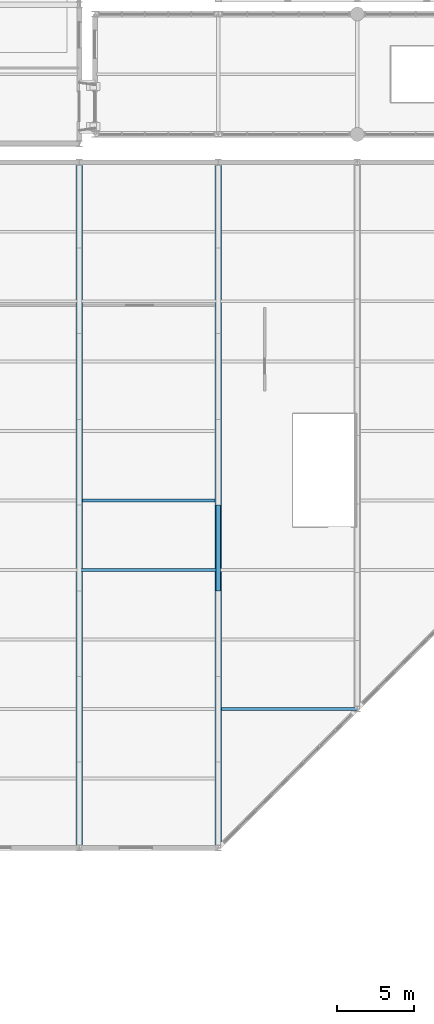
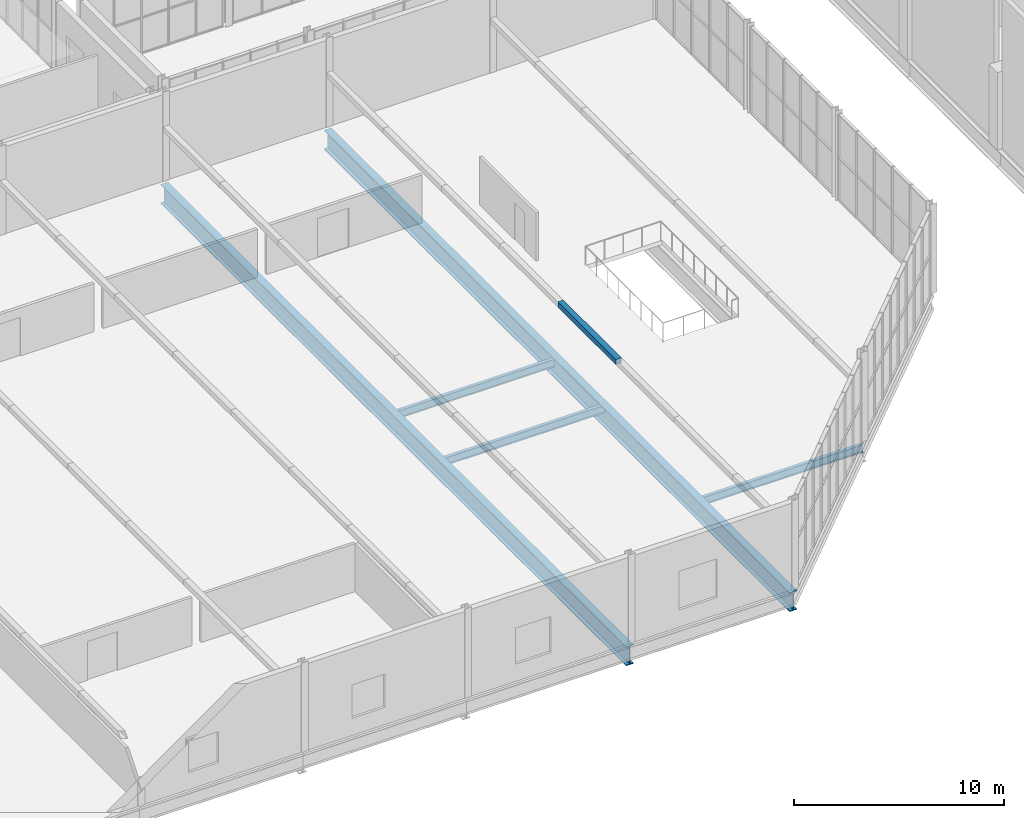
# One storey, part 25 of 134: 5 beams, 1 member.
"""IFC4 building model written with IfcOpenShell, lengths in metres."""

import ifcopenshell
import ifcopenshell.guid

model = None  # the IFC model being written
_history = None  # IfcOwnerHistory: only IFC2X3 demands one
_inside = {}  # id of a spatial element -> (the spatial element, [elements in it])
_under = {}  # id of a project, library or spatial element -> (it, [spatial elements below it])
_declared = {}  # id of a project -> (the project, [libraries it declares])
_typed = {}  # id of a type object -> (the type object, [elements of that type])
_made_of = {}  # id of a material, layer set ... -> (it, [elements and type objects made of it])


def new_model(schema):
    """Start an empty IFC model of exactly this schema.

    Asked for "IFC4X3", IfcOpenShell would pick the latest addendum, in which some entities
    have other attributes; the version numbers below select the first issue.
    IFC2X3 requires an IfcOwnerHistory on every rooted entity: one is made here for all.
    """
    global model, _history
    if schema == "IFC4X3":
        model = ifcopenshell.file(schema_version=(4, 3, 0, 0))
    else:
        model = ifcopenshell.file(schema=schema)
    _inside.clear()
    _under.clear()
    _declared.clear()
    _typed.clear()
    _made_of.clear()
    _history = None
    if model.schema == "IFC2X3":
        org = make("IfcOrganization", Name="unknown")
        user = make(
            "IfcPersonAndOrganization",
            ThePerson=make("IfcPerson", FamilyName="unknown"),
            TheOrganization=org,
        )
        app = make(
            "IfcApplication",
            ApplicationDeveloper=org,
            Version="unknown",
            ApplicationFullName="unknown",
            ApplicationIdentifier="unknown",
        )
        _history = make(
            "IfcOwnerHistory",
            OwningUser=user,
            OwningApplication=app,
            ChangeAction="ADDED",
            CreationDate=0,
        )
    return model


def make(cls, **values):
    """One entity of the class cls with the attributes given. An attribute that is None is left unset."""
    return model.create_entity(
        cls, **{name: value for name, value in values.items() if value is not None}
    )


def rooted(cls, **values):
    """An entity with a GlobalId (a new one), such as an element, a storey or a relation."""
    return make(cls, GlobalId=ifcopenshell.guid.new(), OwnerHistory=_history, **values)


def si_unit(unit_type, name, prefix=None):
    """IfcSIUnit, for example si_unit("LENGTHUNIT", "METRE", prefix="MILLI")."""
    return make("IfcSIUnit", UnitType=unit_type, Prefix=prefix, Name=name)


def assignment(units):
    """IfcUnitAssignment: the units of a project."""
    return None if units is None else make("IfcUnitAssignment", Units=units)


def point(xyz):
    """IfcCartesianPoint."""
    return None if xyz is None else make("IfcCartesianPoint", Coordinates=xyz)


def direction(xyz):
    """IfcDirection."""
    return None if xyz is None else make("IfcDirection", DirectionRatios=xyz)


def frame(location, z_axis=None, x_axis=None):
    """IfcAxis2Placement3D, a coordinate frame: its origin and axes. An axis left out is left unset."""
    return make(
        "IfcAxis2Placement3D",
        Location=point(location),
        Axis=direction(z_axis),
        RefDirection=direction(x_axis),
    )


def frame_2d(location, x_axis=None):
    """IfcAxis2Placement2D, a coordinate frame in the plane: its origin and x axis."""
    return make(
        "IfcAxis2Placement2D", Location=point(location), RefDirection=direction(x_axis)
    )


def origin():
    """The frame at (0, 0, 0) with its axes left unset."""
    return frame((0.0, 0.0, 0.0))


def origin_2d():
    """The frame at (0, 0) in the plane with its x axis left unset."""
    return frame_2d((0.0, 0.0))


def place(relative_to, where):
    """IfcLocalPlacement: puts the frame where relative to a parent placement (None: the world)."""
    return make(
        "IfcLocalPlacement", PlacementRelTo=relative_to, RelativePlacement=where
    )


def context(
    kind, dimensions, precision=None, world=None, true_north=None, identifier=None
):
    """IfcGeometricRepresentationContext, for example the 3D "Model" context."""
    return make(
        "IfcGeometricRepresentationContext",
        ContextIdentifier=identifier,
        ContextType=kind,
        CoordinateSpaceDimension=dimensions,
        Precision=precision,
        WorldCoordinateSystem=world,
        TrueNorth=true_north,
    )


def subcontext(parent, identifier, kind, view, scale=None):
    """IfcGeometricRepresentationSubContext, for example "Body" below "Model"."""
    return make(
        "IfcGeometricRepresentationSubContext",
        ContextIdentifier=identifier,
        ContextType=kind,
        ParentContext=parent,
        TargetScale=scale,
        TargetView=view,
    )


def project(units=None, contexts=None):
    """IfcProject with its units and contexts."""
    return rooted(
        "IfcProject",
        Name="project",
        RepresentationContexts=contexts,
        UnitsInContext=assignment(units),
    )


def spatial(cls, under=None, at=None, **own):
    """A site, building, storey or space (cls), placed at a placement, below another one or the project."""
    s = rooted(cls, ObjectPlacement=at, **own)
    if under is not None:
        _under.setdefault(under.id(), (under, []))[1].append(s)
    return s


def profile(cls, at=None, kind="AREA", **sizes):
    """A parametric profile (cls). Its sizes go by their IFC names, for example OverallWidth=200.0."""
    return make(cls, ProfileType=kind, Position=at, **sizes)


def hollow_rectangle(**sizes):
    """IfcRectangleHollowProfileDef."""
    return profile("IfcRectangleHollowProfileDef", **sizes)


def i_section(**sizes):
    """IfcIShapeProfileDef."""
    return profile("IfcIShapeProfileDef", **sizes)


def extrude(swept, where, along, depth):
    """IfcExtrudedAreaSolid: the profile swept, set in the frame where, extruded along a direction by depth."""
    return make(
        "IfcExtrudedAreaSolid",
        SweptArea=swept,
        Position=where,
        ExtrudedDirection=direction(along),
        Depth=depth,
    )


def shape(context_of_items, identifier, shape_type, items):
    """IfcShapeRepresentation: the items that make up one representation, for example the "Body"."""
    return make(
        "IfcShapeRepresentation",
        ContextOfItems=context_of_items,
        RepresentationIdentifier=identifier,
        RepresentationType=shape_type,
        Items=items,
    )


def material(Name=None, Category=None):
    """IfcMaterial."""
    return make("IfcMaterial", Name=Name, Category=Category)


def material_profile(
    of_material, cross_section, Name=None, Category=None, Priority=None
):
    """IfcMaterialProfile: a cross section and its material."""
    return make(
        "IfcMaterialProfile",
        Name=Name,
        Material=of_material,
        Profile=cross_section,
        Priority=Priority,
        Category=Category,
    )


def profile_set(profiles, Name=None, composite=None):
    """IfcMaterialProfileSet."""
    return make(
        "IfcMaterialProfileSet",
        Name=Name,
        MaterialProfiles=profiles,
        CompositeProfile=composite,
    )


def made_of(thing, what):
    """Note that an element or type object is made of a material, layer set ...; save() writes the relation."""
    if what is not None:
        _made_of.setdefault(what.id(), (what, []))[1].append(thing)
    return thing


def type_object(cls, material=None, **own):
    """A type object (cls), such as IfcWallType, which elements share."""
    return made_of(rooted(cls, **own), material)


def element(
    cls,
    number,
    at=None,
    inside=None,
    cuts=None,
    type_object=None,
    material=None,
    context=None,
    identifier="Body",
    shape_type=None,
    held_by="IfcProductDefinitionShape",
    body=None,
    shapes=None,
    **own,
):
    """One element of the class cls, such as IfcWall. Its Tag is "e" and its number.

    at: its placement. inside: the storey or other place that contains it. cuts: it is an
    opening in that element (IfcRelVoidsElement). A single representation is given by context,
    identifier, shape_type and body (its items); several are given by shapes. held_by: the class
    of the entity that holds the representations. save() writes the other relations.
    """
    e = rooted(cls, Tag="e%d" % number, ObjectPlacement=at, **own)
    if body is not None:
        shapes = [shape(context, identifier, shape_type, body)]
    if shapes is not None:
        e.Representation = make(held_by, Representations=shapes)
    if inside is not None:
        _inside.setdefault(inside.id(), (inside, []))[1].append(e)
    if cuts is not None:
        rooted(
            "IfcRelVoidsElement", RelatingBuildingElement=cuts, RelatedOpeningElement=e
        )
    if type_object is not None:
        _typed.setdefault(type_object.id(), (type_object, []))[1].append(e)
    return made_of(e, material)


def aggregate(whole, parts):
    """IfcRelAggregates: a whole, such as a stair, and the parts it consists of."""
    return rooted("IfcRelAggregates", RelatingObject=whole, RelatedObjects=parts)


def save(model, path):
    """Write the relations noted so far, then the file.

    IfcRelAggregates (storeys below a building ...), IfcRelContainedInSpatialStructure (elements
    in a storey), IfcRelDefinesByType, IfcRelAssociatesMaterial and IfcRelDeclares: one each for
    every whole, place, type object, material and project.
    """
    for whole, parts in _under.values():
        aggregate(whole, parts)
    for where, things in _inside.values():
        rooted(
            "IfcRelContainedInSpatialStructure",
            RelatedElements=things,
            RelatingStructure=where,
        )
    for kind, things in _typed.values():
        rooted("IfcRelDefinesByType", RelatedObjects=things, RelatingType=kind)
    for what, things in _made_of.values():
        rooted("IfcRelAssociatesMaterial", RelatedObjects=things, RelatingMaterial=what)
    for by, libraries in _declared.values():
        rooted("IfcRelDeclares", RelatingContext=by, RelatedDefinitions=libraries)
    model.write(path)


model = new_model("IFC4")

# Units and contexts
model_context = context("Model", 3, precision=1e-05, world=origin(), true_north=direction((0.0, 1.0)))
body_context = subcontext(model_context, "Body", "Model", "MODEL_VIEW")
ifc_project = project(units=[si_unit("LENGTHUNIT", "METRE"), si_unit("AREAUNIT", "SQUARE_METRE"), si_unit("VOLUMEUNIT", "CUBIC_METRE"), si_unit("PLANEANGLEUNIT", "RADIAN"), si_unit("MASSUNIT", "GRAM", prefix="KILO")], contexts=[model_context])

# Site, building, storey
site_placement = place(None, origin())
site = spatial("IfcSite", under=ifc_project, at=site_placement, CompositionType="ELEMENT")
building_placement = place(site_placement, origin())
building = spatial("IfcBuilding", under=site, at=building_placement, Name="Cazmaro Siding Exhibition Halls", CompositionType="ELEMENT")
storey_placement = place(building_placement, frame((0.0, 0.0, 12.0)))
storey = spatial("IfcBuildingStorey", under=building, at=storey_placement, Name="L02", CompositionType="ELEMENT", Elevation=12.0)

# Beams
ifc_material_1 = material(Name="Steel ASTM A992 Grade 50", Category="steel")
ifc_material_profile_1 = material_profile(ifc_material_1, i_section(OverallWidth=0.404052734375, OverallDepth=1.117919921875, WebThickness=0.02587890625, FlangeThickness=0.044921875, at=origin_2d()), Name="W44X335")
ifc_profile_set_1 = profile_set([ifc_material_profile_1], Name="Steel ASTM A992 Grade 50")
beam_type_1 = type_object("IfcBeamType", Name="G-07", PredefinedType="USERDEFINED", material=ifc_profile_set_1)
for number, where, z_axis, x_axis, name in (
    (1, (36.0, 9.0, -0.80908203125), (0.0, 1.0, 0.0), (-1.0, 0.0, 0.0), "Beam G-07 BM-1818"),
    (2, (45.0, 9.0, -0.80908203125), (0.0, 1.0, 0.0), (-1.0, 0.0, 0.0), "Beam G-07 BM-1819"),
):
    element("IfcBeam", number, at=place(storey_placement, frame(where, z_axis=z_axis, x_axis=x_axis)), inside=storey, type_object=beam_type_1, Name=name, ObjectType="GIRDER", PredefinedType="USERDEFINED", context=body_context, shape_type="SweptSolid", body=[
        extrude(i_section(OverallWidth=0.404052734375, OverallDepth=1.117919921875, WebThickness=0.02587890625, FlangeThickness=0.044921875, at=origin_2d()), origin(), (0.0, 0.0, 1.0), 44.39990234375),
    ])
ifc_material_2 = material(Name="Steel ASTM A992 Grade 50", Category="steel")
ifc_material_profile_2 = material_profile(ifc_material_2, i_section(OverallWidth=0.19091796875, OverallDepth=0.45703125, WebThickness=0.009033203125, FlangeThickness=0.013916015625, at=origin_2d()), Name="W18X50")
ifc_profile_set_2 = profile_set([ifc_material_profile_2], Name="Steel ASTM A992 Grade 50")
beam_type_2 = type_object("IfcBeamType", Name="J-01", PredefinedType="JOIST", material=ifc_profile_set_2)
beam_1_placement = place(storey_placement, frame((45.201904296875, 18.0, -0.47900390625), z_axis=(1.0, 0.0, 0.0), x_axis=(0.0, 1.0, 0.0)))
element("IfcBeam", 3, at=beam_1_placement, inside=storey, type_object=beam_type_2, Name="Beam J-01 BM-1831", PredefinedType="JOIST", context=body_context, shape_type="SweptSolid", body=[
    extrude(i_section(OverallWidth=0.19091796875, OverallDepth=0.45703125, WebThickness=0.009033203125, FlangeThickness=0.013916015625, at=origin_2d()), origin(), (0.0, 0.0, 1.0), 8.798095703125),
])
beam_2_placement = place(storey_placement, frame((36.0, 27.0, -0.47900390625), z_axis=(1.0, 0.0, 0.0), x_axis=(0.0, 1.0, 0.0)))
element("IfcBeam", 4, at=beam_2_placement, inside=storey, type_object=beam_type_2, Name="Beam J-01 BM-1842", PredefinedType="JOIST", context=body_context, shape_type="SweptSolid", body=[
    extrude(i_section(OverallWidth=0.19091796875, OverallDepth=0.45703125, WebThickness=0.009033203125, FlangeThickness=0.013916015625, at=origin_2d()), origin(), (0.0, 0.0, 1.0), 9.0),
])
beam_3_placement = place(storey_placement, frame((36.201904296875, 31.5, -0.47900390625), z_axis=(1.0, 0.0, 0.0), x_axis=(0.0, 1.0, 0.0)))
element("IfcBeam", 5, at=beam_3_placement, inside=storey, type_object=beam_type_2, Name="Beam J-01 BM-1849", PredefinedType="JOIST", context=body_context, shape_type="SweptSolid", body=[
    extrude(i_section(OverallWidth=0.19091796875, OverallDepth=0.45703125, WebThickness=0.009033203125, FlangeThickness=0.013916015625, at=origin_2d()), origin(), (0.0, 0.0, 1.0), 8.59619140625),
])

# Member
ifc_material_3 = material(Name="Steel ASTM A500 Grade C", Category="steel")
ifc_material_profile_3 = material_profile(ifc_material_3, hollow_rectangle(XDim=0.304931640625, YDim=0.304931640625, WallThickness=0.014892578125, at=origin_2d()), Name="HSS12X12X5/8")
ifc_profile_set_3 = profile_set([ifc_material_profile_3], Name="Steel ASTM A500 Grade C")
member_type = type_object("IfcMemberType", Name="TC-02", PredefinedType="CHORD", material=ifc_profile_set_3)
member_placement = place(storey_placement, frame((45.0, 25.64990234375, 3.050048828125), z_axis=(0.0, 1.0, 0.0), x_axis=(-1.0, 0.0, 0.0)))
element("IfcMember", 6, at=member_placement, inside=storey, type_object=member_type, Name="Congress folded roof bottom chord TC-02 MEM-3378", PredefinedType="CHORD", context=body_context, shape_type="SweptSolid", body=[
    extrude(hollow_rectangle(XDim=0.304931640625, YDim=0.304931640625, WallThickness=0.014892578125, at=origin_2d()), origin(), (0.0, 0.0, 1.0), 5.550048828125),
])

save(model, "model.ifc")
